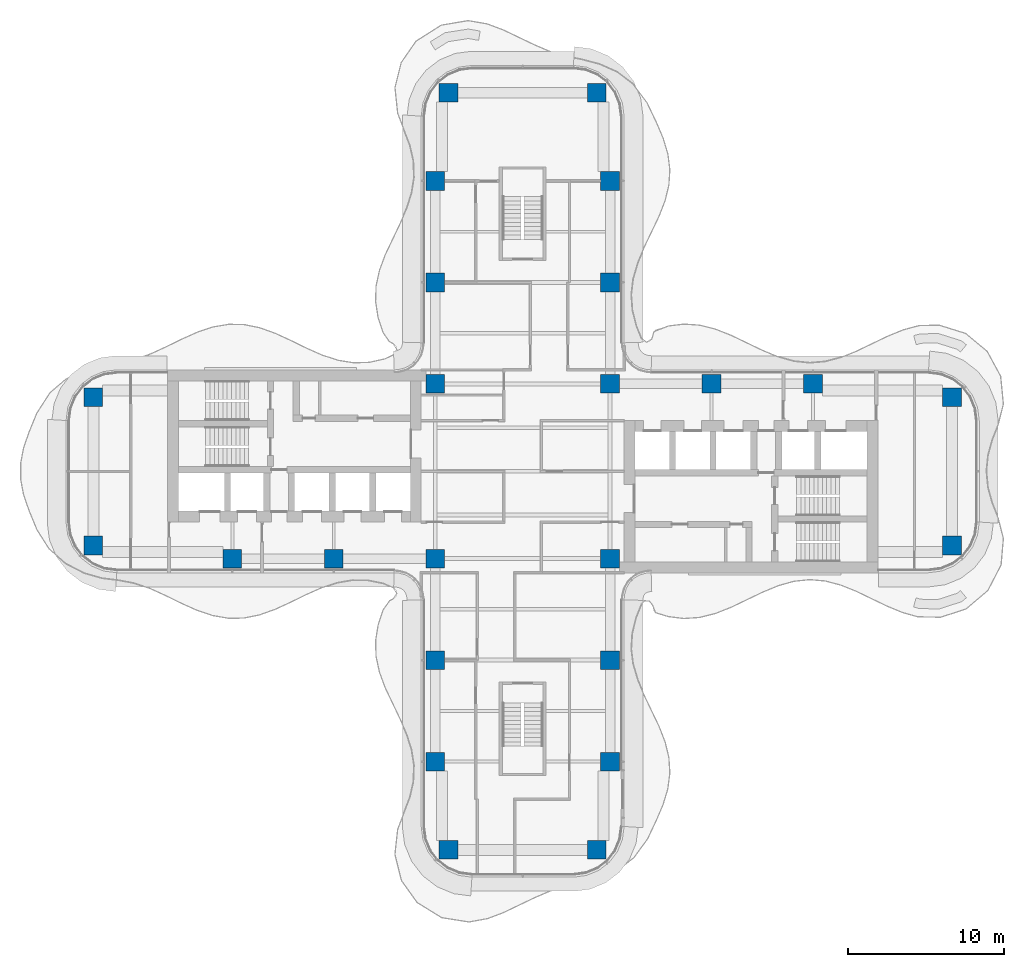
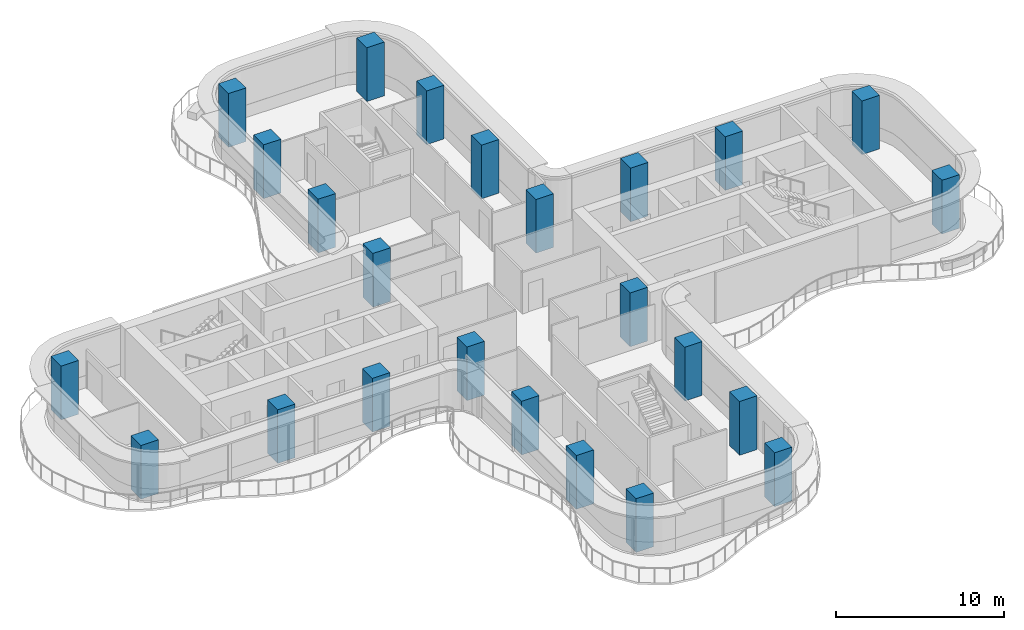
# One storey, part 1 of 18: 24 columns.
"""IFC4 building model written with IfcOpenShell, lengths in metres."""

import ifcopenshell
import ifcopenshell.guid

model = None  # the IFC model being written
_history = None  # IfcOwnerHistory: only IFC2X3 demands one
_inside = {}  # id of a spatial element -> (the spatial element, [elements in it])
_under = {}  # id of a project, library or spatial element -> (it, [spatial elements below it])
_declared = {}  # id of a project -> (the project, [libraries it declares])
_typed = {}  # id of a type object -> (the type object, [elements of that type])
_made_of = {}  # id of a material, layer set ... -> (it, [elements and type objects made of it])


def new_model(schema):
    """Start an empty IFC model of exactly this schema.

    Asked for "IFC4X3", IfcOpenShell would pick the latest addendum, in which some entities
    have other attributes; the version numbers below select the first issue.
    IFC2X3 requires an IfcOwnerHistory on every rooted entity: one is made here for all.
    """
    global model, _history
    if schema == "IFC4X3":
        model = ifcopenshell.file(schema_version=(4, 3, 0, 0))
    else:
        model = ifcopenshell.file(schema=schema)
    _inside.clear()
    _under.clear()
    _declared.clear()
    _typed.clear()
    _made_of.clear()
    _history = None
    if model.schema == "IFC2X3":
        org = make("IfcOrganization", Name="unknown")
        user = make(
            "IfcPersonAndOrganization",
            ThePerson=make("IfcPerson", FamilyName="unknown"),
            TheOrganization=org,
        )
        app = make(
            "IfcApplication",
            ApplicationDeveloper=org,
            Version="unknown",
            ApplicationFullName="unknown",
            ApplicationIdentifier="unknown",
        )
        _history = make(
            "IfcOwnerHistory",
            OwningUser=user,
            OwningApplication=app,
            ChangeAction="ADDED",
            CreationDate=0,
        )
    return model


def make(cls, **values):
    """One entity of the class cls with the attributes given. An attribute that is None is left unset."""
    return model.create_entity(
        cls, **{name: value for name, value in values.items() if value is not None}
    )


def rooted(cls, **values):
    """An entity with a GlobalId (a new one), such as an element, a storey or a relation."""
    return make(cls, GlobalId=ifcopenshell.guid.new(), OwnerHistory=_history, **values)


def si_unit(unit_type, name, prefix=None):
    """IfcSIUnit, for example si_unit("LENGTHUNIT", "METRE", prefix="MILLI")."""
    return make("IfcSIUnit", UnitType=unit_type, Prefix=prefix, Name=name)


def assignment(units):
    """IfcUnitAssignment: the units of a project."""
    return None if units is None else make("IfcUnitAssignment", Units=units)


def point(xyz):
    """IfcCartesianPoint."""
    return None if xyz is None else make("IfcCartesianPoint", Coordinates=xyz)


def direction(xyz):
    """IfcDirection."""
    return None if xyz is None else make("IfcDirection", DirectionRatios=xyz)


def frame(location, z_axis=None, x_axis=None):
    """IfcAxis2Placement3D, a coordinate frame: its origin and axes. An axis left out is left unset."""
    return make(
        "IfcAxis2Placement3D",
        Location=point(location),
        Axis=direction(z_axis),
        RefDirection=direction(x_axis),
    )


def frame_2d(location, x_axis=None):
    """IfcAxis2Placement2D, a coordinate frame in the plane: its origin and x axis."""
    return make(
        "IfcAxis2Placement2D", Location=point(location), RefDirection=direction(x_axis)
    )


def origin():
    """The frame at (0, 0, 0) with its axes left unset."""
    return frame((0.0, 0.0, 0.0))


def origin_2d():
    """The frame at (0, 0) in the plane with its x axis left unset."""
    return frame_2d((0.0, 0.0))


def place(relative_to, where):
    """IfcLocalPlacement: puts the frame where relative to a parent placement (None: the world)."""
    return make(
        "IfcLocalPlacement", PlacementRelTo=relative_to, RelativePlacement=where
    )


def context(
    kind, dimensions, precision=None, world=None, true_north=None, identifier=None
):
    """IfcGeometricRepresentationContext, for example the 3D "Model" context."""
    return make(
        "IfcGeometricRepresentationContext",
        ContextIdentifier=identifier,
        ContextType=kind,
        CoordinateSpaceDimension=dimensions,
        Precision=precision,
        WorldCoordinateSystem=world,
        TrueNorth=true_north,
    )


def subcontext(parent, identifier, kind, view, scale=None):
    """IfcGeometricRepresentationSubContext, for example "Body" below "Model"."""
    return make(
        "IfcGeometricRepresentationSubContext",
        ContextIdentifier=identifier,
        ContextType=kind,
        ParentContext=parent,
        TargetScale=scale,
        TargetView=view,
    )


def project(units=None, contexts=None):
    """IfcProject with its units and contexts."""
    return rooted(
        "IfcProject",
        Name="project",
        RepresentationContexts=contexts,
        UnitsInContext=assignment(units),
    )


def spatial(cls, under=None, at=None, **own):
    """A site, building, storey or space (cls), placed at a placement, below another one or the project."""
    s = rooted(cls, ObjectPlacement=at, **own)
    if under is not None:
        _under.setdefault(under.id(), (under, []))[1].append(s)
    return s


def profile(cls, at=None, kind="AREA", **sizes):
    """A parametric profile (cls). Its sizes go by their IFC names, for example OverallWidth=200.0."""
    return make(cls, ProfileType=kind, Position=at, **sizes)


def rectangle(**sizes):
    """IfcRectangleProfileDef."""
    return profile("IfcRectangleProfileDef", **sizes)


def extrude(swept, where, along, depth):
    """IfcExtrudedAreaSolid: the profile swept, set in the frame where, extruded along a direction by depth."""
    return make(
        "IfcExtrudedAreaSolid",
        SweptArea=swept,
        Position=where,
        ExtrudedDirection=direction(along),
        Depth=depth,
    )


def shape(context_of_items, identifier, shape_type, items):
    """IfcShapeRepresentation: the items that make up one representation, for example the "Body"."""
    return make(
        "IfcShapeRepresentation",
        ContextOfItems=context_of_items,
        RepresentationIdentifier=identifier,
        RepresentationType=shape_type,
        Items=items,
    )


def source(mapping_origin, context_of_items, identifier, shape_type, items):
    """IfcRepresentationMap: a shape defined once, which mapped items show again and again."""
    return make(
        "IfcRepresentationMap",
        MappingOrigin=mapping_origin,
        MappedRepresentation=shape(context_of_items, identifier, shape_type, items),
    )


def transform(
    local_origin,
    x_axis=None,
    y_axis=None,
    z_axis=None,
    scale=None,
    scale2=None,
    scale3=None,
    uniform=True,
):
    """IfcCartesianTransformationOperator3D, or its non-uniform kind. x_axis, y_axis, z_axis: its Axis1, 2, 3."""
    if uniform:
        return make(
            "IfcCartesianTransformationOperator3D",
            Axis1=direction(x_axis),
            Axis2=direction(y_axis),
            LocalOrigin=point(local_origin),
            Scale=scale,
            Axis3=direction(z_axis),
        )
    return make(
        "IfcCartesianTransformationOperator3DnonUniform",
        Axis1=direction(x_axis),
        Axis2=direction(y_axis),
        LocalOrigin=point(local_origin),
        Scale=scale,
        Axis3=direction(z_axis),
        Scale2=scale2,
        Scale3=scale3,
    )


def mapped(mapping_source, mapping_target):
    """IfcMappedItem: shows the shape of a source again, moved by a transform."""
    return make(
        "IfcMappedItem", MappingSource=mapping_source, MappingTarget=mapping_target
    )


def material(Name=None, Category=None):
    """IfcMaterial."""
    return make("IfcMaterial", Name=Name, Category=Category)


def material_profile(
    of_material, cross_section, Name=None, Category=None, Priority=None
):
    """IfcMaterialProfile: a cross section and its material."""
    return make(
        "IfcMaterialProfile",
        Name=Name,
        Material=of_material,
        Profile=cross_section,
        Priority=Priority,
        Category=Category,
    )


def profile_set(profiles, Name=None, composite=None):
    """IfcMaterialProfileSet."""
    return make(
        "IfcMaterialProfileSet",
        Name=Name,
        MaterialProfiles=profiles,
        CompositeProfile=composite,
    )


def made_of(thing, what):
    """Note that an element or type object is made of a material, layer set ...; save() writes the relation."""
    if what is not None:
        _made_of.setdefault(what.id(), (what, []))[1].append(thing)
    return thing


def type_object(cls, material=None, **own):
    """A type object (cls), such as IfcWallType, which elements share."""
    return made_of(rooted(cls, **own), material)


def element(
    cls,
    number,
    at=None,
    inside=None,
    cuts=None,
    type_object=None,
    material=None,
    context=None,
    identifier="Body",
    shape_type=None,
    held_by="IfcProductDefinitionShape",
    body=None,
    shapes=None,
    **own,
):
    """One element of the class cls, such as IfcWall. Its Tag is "e" and its number.

    at: its placement. inside: the storey or other place that contains it. cuts: it is an
    opening in that element (IfcRelVoidsElement). A single representation is given by context,
    identifier, shape_type and body (its items); several are given by shapes. held_by: the class
    of the entity that holds the representations. save() writes the other relations.
    """
    e = rooted(cls, Tag="e%d" % number, ObjectPlacement=at, **own)
    if body is not None:
        shapes = [shape(context, identifier, shape_type, body)]
    if shapes is not None:
        e.Representation = make(held_by, Representations=shapes)
    if inside is not None:
        _inside.setdefault(inside.id(), (inside, []))[1].append(e)
    if cuts is not None:
        rooted(
            "IfcRelVoidsElement", RelatingBuildingElement=cuts, RelatedOpeningElement=e
        )
    if type_object is not None:
        _typed.setdefault(type_object.id(), (type_object, []))[1].append(e)
    return made_of(e, material)


def aggregate(whole, parts):
    """IfcRelAggregates: a whole, such as a stair, and the parts it consists of."""
    return rooted("IfcRelAggregates", RelatingObject=whole, RelatedObjects=parts)


def save(model, path):
    """Write the relations noted so far, then the file.

    IfcRelAggregates (storeys below a building ...), IfcRelContainedInSpatialStructure (elements
    in a storey), IfcRelDefinesByType, IfcRelAssociatesMaterial and IfcRelDeclares: one each for
    every whole, place, type object, material and project.
    """
    for whole, parts in _under.values():
        aggregate(whole, parts)
    for where, things in _inside.values():
        rooted(
            "IfcRelContainedInSpatialStructure",
            RelatedElements=things,
            RelatingStructure=where,
        )
    for kind, things in _typed.values():
        rooted("IfcRelDefinesByType", RelatedObjects=things, RelatingType=kind)
    for what, things in _made_of.values():
        rooted("IfcRelAssociatesMaterial", RelatedObjects=things, RelatingMaterial=what)
    for by, libraries in _declared.values():
        rooted("IfcRelDeclares", RelatingContext=by, RelatedDefinitions=libraries)
    model.write(path)


model = new_model("IFC4")

# Units and contexts
model_context = context("Model", 3, precision=1e-05, world=origin(), true_north=direction((0.0, 1.0)))
body_context = subcontext(model_context, "Body", "Model", "MODEL_VIEW")
ifc_project = project(units=[si_unit("LENGTHUNIT", "METRE"), si_unit("AREAUNIT", "SQUARE_METRE"), si_unit("VOLUMEUNIT", "CUBIC_METRE"), si_unit("PLANEANGLEUNIT", "RADIAN"), si_unit("MASSUNIT", "GRAM", prefix="KILO")], contexts=[model_context])

# Site, building, storey
site_placement = place(None, origin())
site = spatial("IfcSite", under=ifc_project, at=site_placement, CompositionType="ELEMENT")
building_placement = place(site_placement, origin())
building = spatial("IfcBuilding", under=site, at=building_placement, Name="Trellis Farm Tower", CompositionType="ELEMENT")
storey_placement = place(building_placement, frame((0.0, 0.0, 169.800048828125)))
storey = spatial("IfcBuildingStorey", under=building, at=storey_placement, Name="L36", CompositionType="ELEMENT", Elevation=169.800048828125)

# Columns
ifc_material = material(Name="Concrete C70/85", Category="concrete")
ifc_material_profile = material_profile(ifc_material, rectangle(XDim=1.199951171875, YDim=1.199951171875, at=origin_2d()), Name="RC column 1200x1200 C70/85")
ifc_profile_set = profile_set([ifc_material_profile], Name="Concrete C70/85")
column_type = type_object("IfcColumnType", Name="RC column 1200x1200 C70/85", PredefinedType="COLUMN", material=ifc_profile_set)
shared_shape = source(origin(), body_context, "Body", "SweptSolid", [
    extrude(rectangle(XDim=1.199951171875, YDim=1.199951171875, at=origin_2d()), origin(), (0.0, 0.0, 1.0), 3.89990234375),
])
for number, where, z_axis, x_axis, name in (
    (1, (12.10009765625, 5.60009765625, 0.0), (0.0, 0.0, 1.0), (1.0, 0.0, 0.0), "Column"),
    (2, (18.60009765625, 5.60009765625, 0.0), (0.0, 0.0, 1.0), (1.0, 0.0, 0.0), "Column"),
    (3, (27.5, 4.75, 0.0), (0.0, 0.0, 1.0), (1.0, 0.0, 0.0), "Column"),
    (4, (27.5, -4.75, 0.0), (0.0, 0.0, 1.0), (1.0, 0.0, 0.0), "Column"),
    (5, (-5.60009765625, 12.10009765625, 0.0), (0.0, 0.0, 1.0), (1.0, 0.0, 0.0), "Column"),
    (6, (-5.60009765625, 18.60009765625, 0.0), (0.0, 0.0, 1.0), (1.0, 0.0, 0.0), "Column"),
    (7, (-4.75, 24.25, 0.0), (0.0, 0.0, 1.0), (1.0, 0.0, 0.0), "Column"),
    (8, (5.60009765625, 12.10009765625, 0.0), (0.0, 0.0, 1.0), (1.0, 0.0, 0.0), "Column"),
    (9, (5.60009765625, 18.60009765625, 0.0), (0.0, 0.0, 1.0), (1.0, 0.0, 0.0), "Column"),
    (10, (4.75, 24.25, 0.0), (0.0, 0.0, 1.0), (1.0, 0.0, 0.0), "Column"),
    (11, (5.60009765625, 5.60009765625, 0.0), (0.0, 0.0, 1.0), (1.0, 0.0, 0.0), "Column"),
    (12, (-5.60009765625, 5.60009765625, 0.0), (0.0, 0.0, 1.0), (1.0, 0.0, 0.0), "Column"),
    (13, (5.60009765625, -5.60009765625, 0.0), (0.0, 0.0, 1.0), (1.0, 0.0, 0.0), "Column"),
    (14, (-5.60009765625, -5.60009765625, 0.0), (0.0, 0.0, 1.0), (1.0, 0.0, 0.0), "Column"),
    (15, (5.60009765625, -12.10009765625, 0.0), (0.0, 0.0, 1.0), (1.0, 0.0, 0.0), "Column"),
    (16, (5.60009765625, -18.60009765625, 0.0), (0.0, 0.0, 1.0), (1.0, 0.0, 0.0), "Column"),
    (17, (4.75, -24.25, 0.0), (0.0, 0.0, 1.0), (1.0, 0.0, 0.0), "Column"),
    (18, (-5.60009765625, -12.10009765625, 0.0), (0.0, 0.0, 1.0), (1.0, 0.0, 0.0), "Column"),
    (19, (-5.60009765625, -18.60009765625, 0.0), (0.0, 0.0, 1.0), (1.0, 0.0, 0.0), "Column"),
    (20, (-4.75, -24.25, 0.0), (0.0, 0.0, 1.0), (1.0, 0.0, 0.0), "Column"),
    (21, (-12.10009765625, -5.60009765625, 0.0), (0.0, 0.0, 1.0), (1.0, 0.0, 0.0), "Column"),
    (22, (-18.60009765625, -5.60009765625, 0.0), (0.0, 0.0, 1.0), (1.0, 0.0, 0.0), "Column"),
    (23, (-27.5, -4.75, 0.0), (0.0, 0.0, 1.0), (1.0, 0.0, 0.0), "Column"),
    (24, (-27.5, 4.75, 0.0), (0.0, 0.0, 1.0), (1.0, 0.0, 0.0), "Column"),
):
    element("IfcColumn", number, at=place(storey_placement, frame(where, z_axis=z_axis, x_axis=x_axis)), inside=storey, type_object=column_type, Name=name, PredefinedType="COLUMN", context=body_context, shape_type="MappedRepresentation", body=[
        mapped(shared_shape, transform((0.0, 0.0, 0.0))),
    ])

save(model, "model.ifc")
